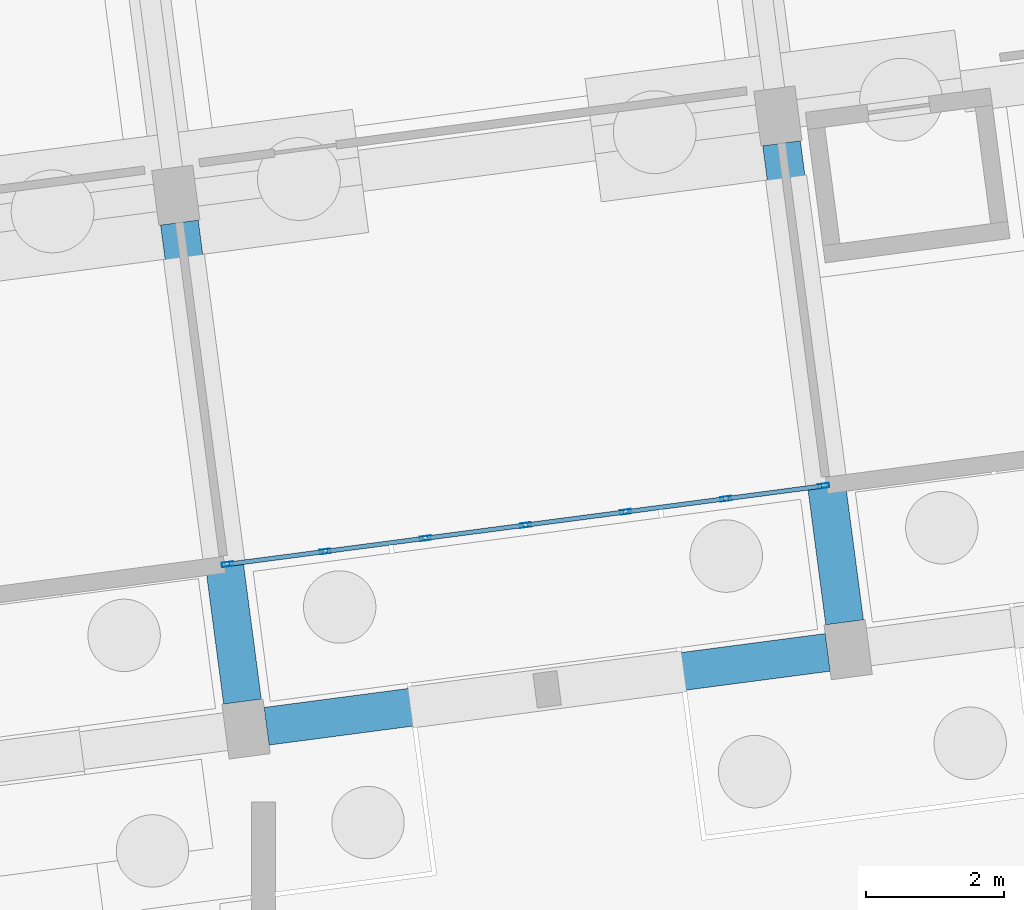
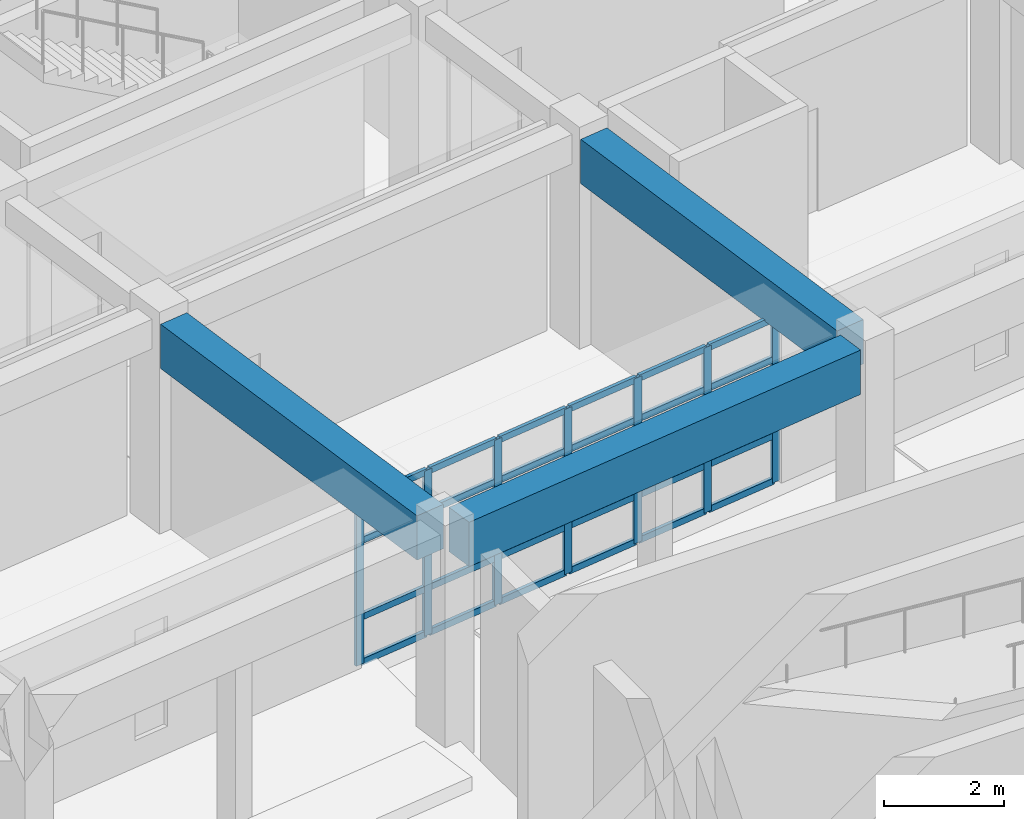
# One storey, part 60 of 154: 31 members, 3 beams, 1 element without a shape of its own.
"""IFC4 building model written with IfcOpenShell, lengths in metres."""

import ifcopenshell
import ifcopenshell.guid

model = None  # the IFC model being written
_history = None  # IfcOwnerHistory: only IFC2X3 demands one
_inside = {}  # id of a spatial element -> (the spatial element, [elements in it])
_under = {}  # id of a project, library or spatial element -> (it, [spatial elements below it])
_declared = {}  # id of a project -> (the project, [libraries it declares])
_typed = {}  # id of a type object -> (the type object, [elements of that type])
_made_of = {}  # id of a material, layer set ... -> (it, [elements and type objects made of it])


def new_model(schema):
    """Start an empty IFC model of exactly this schema.

    Asked for "IFC4X3", IfcOpenShell would pick the latest addendum, in which some entities
    have other attributes; the version numbers below select the first issue.
    IFC2X3 requires an IfcOwnerHistory on every rooted entity: one is made here for all.
    """
    global model, _history
    if schema == "IFC4X3":
        model = ifcopenshell.file(schema_version=(4, 3, 0, 0))
    else:
        model = ifcopenshell.file(schema=schema)
    _inside.clear()
    _under.clear()
    _declared.clear()
    _typed.clear()
    _made_of.clear()
    _history = None
    if model.schema == "IFC2X3":
        org = make("IfcOrganization", Name="unknown")
        user = make(
            "IfcPersonAndOrganization",
            ThePerson=make("IfcPerson", FamilyName="unknown"),
            TheOrganization=org,
        )
        app = make(
            "IfcApplication",
            ApplicationDeveloper=org,
            Version="unknown",
            ApplicationFullName="unknown",
            ApplicationIdentifier="unknown",
        )
        _history = make(
            "IfcOwnerHistory",
            OwningUser=user,
            OwningApplication=app,
            ChangeAction="ADDED",
            CreationDate=0,
        )
    return model


def make(cls, **values):
    """One entity of the class cls with the attributes given. An attribute that is None is left unset."""
    return model.create_entity(
        cls, **{name: value for name, value in values.items() if value is not None}
    )


def rooted(cls, **values):
    """An entity with a GlobalId (a new one), such as an element, a storey or a relation."""
    return make(cls, GlobalId=ifcopenshell.guid.new(), OwnerHistory=_history, **values)


def si_unit(unit_type, name, prefix=None):
    """IfcSIUnit, for example si_unit("LENGTHUNIT", "METRE", prefix="MILLI")."""
    return make("IfcSIUnit", UnitType=unit_type, Prefix=prefix, Name=name)


def assignment(units):
    """IfcUnitAssignment: the units of a project."""
    return None if units is None else make("IfcUnitAssignment", Units=units)


def point(xyz):
    """IfcCartesianPoint."""
    return None if xyz is None else make("IfcCartesianPoint", Coordinates=xyz)


def direction(xyz):
    """IfcDirection."""
    return None if xyz is None else make("IfcDirection", DirectionRatios=xyz)


def frame(location, z_axis=None, x_axis=None):
    """IfcAxis2Placement3D, a coordinate frame: its origin and axes. An axis left out is left unset."""
    return make(
        "IfcAxis2Placement3D",
        Location=point(location),
        Axis=direction(z_axis),
        RefDirection=direction(x_axis),
    )


def frame_2d(location, x_axis=None):
    """IfcAxis2Placement2D, a coordinate frame in the plane: its origin and x axis."""
    return make(
        "IfcAxis2Placement2D", Location=point(location), RefDirection=direction(x_axis)
    )


def origin():
    """The frame at (0, 0, 0) with its axes left unset."""
    return frame((0.0, 0.0, 0.0))


def origin_2d():
    """The frame at (0, 0) in the plane with its x axis left unset."""
    return frame_2d((0.0, 0.0))


def place(relative_to, where):
    """IfcLocalPlacement: puts the frame where relative to a parent placement (None: the world)."""
    return make(
        "IfcLocalPlacement", PlacementRelTo=relative_to, RelativePlacement=where
    )


def context(
    kind, dimensions, precision=None, world=None, true_north=None, identifier=None
):
    """IfcGeometricRepresentationContext, for example the 3D "Model" context."""
    return make(
        "IfcGeometricRepresentationContext",
        ContextIdentifier=identifier,
        ContextType=kind,
        CoordinateSpaceDimension=dimensions,
        Precision=precision,
        WorldCoordinateSystem=world,
        TrueNorth=true_north,
    )


def subcontext(parent, identifier, kind, view, scale=None):
    """IfcGeometricRepresentationSubContext, for example "Body" below "Model"."""
    return make(
        "IfcGeometricRepresentationSubContext",
        ContextIdentifier=identifier,
        ContextType=kind,
        ParentContext=parent,
        TargetScale=scale,
        TargetView=view,
    )


def project(units=None, contexts=None):
    """IfcProject with its units and contexts."""
    return rooted(
        "IfcProject",
        Name="project",
        RepresentationContexts=contexts,
        UnitsInContext=assignment(units),
    )


def spatial(cls, under=None, at=None, **own):
    """A site, building, storey or space (cls), placed at a placement, below another one or the project."""
    s = rooted(cls, ObjectPlacement=at, **own)
    if under is not None:
        _under.setdefault(under.id(), (under, []))[1].append(s)
    return s


def profile(cls, at=None, kind="AREA", **sizes):
    """A parametric profile (cls). Its sizes go by their IFC names, for example OverallWidth=200.0."""
    return make(cls, ProfileType=kind, Position=at, **sizes)


def rectangle(**sizes):
    """IfcRectangleProfileDef."""
    return profile("IfcRectangleProfileDef", **sizes)


def hollow_rectangle(**sizes):
    """IfcRectangleHollowProfileDef."""
    return profile("IfcRectangleHollowProfileDef", **sizes)


def extrude(swept, where, along, depth):
    """IfcExtrudedAreaSolid: the profile swept, set in the frame where, extruded along a direction by depth."""
    return make(
        "IfcExtrudedAreaSolid",
        SweptArea=swept,
        Position=where,
        ExtrudedDirection=direction(along),
        Depth=depth,
    )


def shape(context_of_items, identifier, shape_type, items):
    """IfcShapeRepresentation: the items that make up one representation, for example the "Body"."""
    return make(
        "IfcShapeRepresentation",
        ContextOfItems=context_of_items,
        RepresentationIdentifier=identifier,
        RepresentationType=shape_type,
        Items=items,
    )


def material(Name=None, Category=None):
    """IfcMaterial."""
    return make("IfcMaterial", Name=Name, Category=Category)


def material_profile(
    of_material, cross_section, Name=None, Category=None, Priority=None
):
    """IfcMaterialProfile: a cross section and its material."""
    return make(
        "IfcMaterialProfile",
        Name=Name,
        Material=of_material,
        Profile=cross_section,
        Priority=Priority,
        Category=Category,
    )


def profile_set(profiles, Name=None, composite=None):
    """IfcMaterialProfileSet."""
    return make(
        "IfcMaterialProfileSet",
        Name=Name,
        MaterialProfiles=profiles,
        CompositeProfile=composite,
    )


def made_of(thing, what):
    """Note that an element or type object is made of a material, layer set ...; save() writes the relation."""
    if what is not None:
        _made_of.setdefault(what.id(), (what, []))[1].append(thing)
    return thing


def type_object(cls, material=None, **own):
    """A type object (cls), such as IfcWallType, which elements share."""
    return made_of(rooted(cls, **own), material)


def element(
    cls,
    number,
    at=None,
    inside=None,
    cuts=None,
    type_object=None,
    material=None,
    context=None,
    identifier="Body",
    shape_type=None,
    held_by="IfcProductDefinitionShape",
    body=None,
    shapes=None,
    **own,
):
    """One element of the class cls, such as IfcWall. Its Tag is "e" and its number.

    at: its placement. inside: the storey or other place that contains it. cuts: it is an
    opening in that element (IfcRelVoidsElement). A single representation is given by context,
    identifier, shape_type and body (its items); several are given by shapes. held_by: the class
    of the entity that holds the representations. save() writes the other relations.
    """
    e = rooted(cls, Tag="e%d" % number, ObjectPlacement=at, **own)
    if body is not None:
        shapes = [shape(context, identifier, shape_type, body)]
    if shapes is not None:
        e.Representation = make(held_by, Representations=shapes)
    if inside is not None:
        _inside.setdefault(inside.id(), (inside, []))[1].append(e)
    if cuts is not None:
        rooted(
            "IfcRelVoidsElement", RelatingBuildingElement=cuts, RelatedOpeningElement=e
        )
    if type_object is not None:
        _typed.setdefault(type_object.id(), (type_object, []))[1].append(e)
    return made_of(e, material)


def aggregate(whole, parts):
    """IfcRelAggregates: a whole, such as a stair, and the parts it consists of."""
    return rooted("IfcRelAggregates", RelatingObject=whole, RelatedObjects=parts)


def save(model, path):
    """Write the relations noted so far, then the file.

    IfcRelAggregates (storeys below a building ...), IfcRelContainedInSpatialStructure (elements
    in a storey), IfcRelDefinesByType, IfcRelAssociatesMaterial and IfcRelDeclares: one each for
    every whole, place, type object, material and project.
    """
    for whole, parts in _under.values():
        aggregate(whole, parts)
    for where, things in _inside.values():
        rooted(
            "IfcRelContainedInSpatialStructure",
            RelatedElements=things,
            RelatingStructure=where,
        )
    for kind, things in _typed.values():
        rooted("IfcRelDefinesByType", RelatedObjects=things, RelatingType=kind)
    for what, things in _made_of.values():
        rooted("IfcRelAssociatesMaterial", RelatedObjects=things, RelatingMaterial=what)
    for by, libraries in _declared.values():
        rooted("IfcRelDeclares", RelatingContext=by, RelatedDefinitions=libraries)
    model.write(path)


model = new_model("IFC4")

# Units and contexts
model_context = context("Model", 3, precision=1e-05, world=origin(), true_north=direction((0.0, 1.0)))
body_context = subcontext(model_context, "Body", "Model", "MODEL_VIEW")
ifc_project = project(units=[si_unit("LENGTHUNIT", "METRE"), si_unit("AREAUNIT", "SQUARE_METRE"), si_unit("VOLUMEUNIT", "CUBIC_METRE"), si_unit("PLANEANGLEUNIT", "RADIAN"), si_unit("MASSUNIT", "GRAM", prefix="KILO")], contexts=[model_context])

# Site, building, storey
site_placement = place(None, origin())
site = spatial("IfcSite", under=ifc_project, at=site_placement, CompositionType="ELEMENT")
building_placement = place(site_placement, origin())
building = spatial("IfcBuilding", under=site, at=building_placement, Name="Kestramere Prow Commons", CompositionType="ELEMENT")
storey_placement = place(building_placement, origin())
storey = spatial("IfcBuildingStorey", under=building, at=storey_placement, Name="L00", CompositionType="ELEMENT", Elevation=0.0)

# Curtain wall, members
ifc_material_1 = material(Name="Anodised Aluminium and Low-E Glass", Category="aluminium")
curtain_wall_type = type_object("IfcCurtainWallType", Name="CW-01 Glazed Curtain Wall 8780x3350", PredefinedType="USERDEFINED", material=ifc_material_1)
curtain_wall_placement = place(storey_placement, origin())
curtain_wall = element("IfcCurtainWall", 1, at=curtain_wall_placement, inside=storey, type_object=curtain_wall_type, Name="Block A L00 South Colonnade Storefront 2", ObjectType="GLAZED CURTAIN WALL", PredefinedType="USERDEFINED")
ifc_material_2 = material(Name="Anodised Aluminium 6063-T6", Category="aluminium")
ifc_material_profile_1 = material_profile(ifc_material_2, hollow_rectangle(XDim=0.06494140625, YDim=0.159912109375, WallThickness=0.00390625, at=origin_2d()), Name="ALU-MUL 65x160")
ifc_profile_set_1 = profile_set([ifc_material_profile_1], Name="Anodised Aluminium 6063-T6")
member_type_1 = type_object("IfcMemberType", Name="CW-MUL-65x160", PredefinedType="MULLION", material=ifc_profile_set_1)
member_1_placement = place(storey_placement, frame((28.2939453125, 76.671142578125, 0.0), z_axis=(0.0, 0.0, 1.0), x_axis=(0.130526194106, -0.991444861125, 0.0)))
member_1 = element("IfcMember", 2, at=member_1_placement, type_object=member_type_1, Name="CW-01 mullion 1", PredefinedType="MULLION", context=body_context, shape_type="SweptSolid", body=[
    extrude(hollow_rectangle(XDim=0.06494140625, YDim=0.159912109375, WallThickness=0.00390625, at=origin_2d()), origin(), (0.0, 0.0, 1.0), 3.35009765625),
])
member_2_placement = place(storey_placement, frame((26.87548828125, 76.484375, 0.0), z_axis=(0.0, 0.0, 1.0), x_axis=(0.130526194106, -0.991444861125, 0.0)))
member_2 = element("IfcMember", 3, at=member_2_placement, type_object=member_type_1, Name="CW-01 mullion 2", PredefinedType="MULLION", context=body_context, shape_type="SweptSolid", body=[
    extrude(hollow_rectangle(XDim=0.06494140625, YDim=0.159912109375, WallThickness=0.00390625, at=origin_2d()), origin(), (0.0, 0.0, 1.0), 3.35009765625),
])
member_3_placement = place(storey_placement, frame((25.424560546875, 76.29345703125, 0.0), z_axis=(0.0, 0.0, 1.0), x_axis=(0.130526194106, -0.991444861125, 0.0)))
member_3 = element("IfcMember", 4, at=member_3_placement, type_object=member_type_1, Name="CW-01 mullion 3", PredefinedType="MULLION", context=body_context, shape_type="SweptSolid", body=[
    extrude(hollow_rectangle(XDim=0.06494140625, YDim=0.159912109375, WallThickness=0.00390625, at=origin_2d()), origin(), (0.0, 0.0, 1.0), 3.35009765625),
])
member_4_placement = place(storey_placement, frame((23.973876953125, 76.102294921875, 0.0), z_axis=(0.0, 0.0, 1.0), x_axis=(0.130526194106, -0.991444861125, 0.0)))
member_4 = element("IfcMember", 5, at=member_4_placement, type_object=member_type_1, Name="CW-01 mullion 4", PredefinedType="MULLION", context=body_context, shape_type="SweptSolid", body=[
    extrude(hollow_rectangle(XDim=0.06494140625, YDim=0.159912109375, WallThickness=0.00390625, at=origin_2d()), origin(), (0.0, 0.0, 1.0), 3.35009765625),
])
member_5_placement = place(storey_placement, frame((22.52294921875, 75.911376953125, 0.0), z_axis=(0.0, 0.0, 1.0), x_axis=(0.130526194106, -0.991444861125, 0.0)))
member_5 = element("IfcMember", 6, at=member_5_placement, type_object=member_type_1, Name="CW-01 mullion 5", PredefinedType="MULLION", context=body_context, shape_type="SweptSolid", body=[
    extrude(hollow_rectangle(XDim=0.06494140625, YDim=0.159912109375, WallThickness=0.00390625, at=origin_2d()), origin(), (0.0, 0.0, 1.0), 3.35009765625),
])
member_6_placement = place(storey_placement, frame((21.072265625, 75.720458984375, 0.0), z_axis=(0.0, 0.0, 1.0), x_axis=(0.130526194106, -0.991444861125, 0.0)))
member_6 = element("IfcMember", 7, at=member_6_placement, type_object=member_type_1, Name="CW-01 mullion 6", PredefinedType="MULLION", context=body_context, shape_type="SweptSolid", body=[
    extrude(hollow_rectangle(XDim=0.06494140625, YDim=0.159912109375, WallThickness=0.00390625, at=origin_2d()), origin(), (0.0, 0.0, 1.0), 3.35009765625),
])
member_7_placement = place(storey_placement, frame((19.653564453125, 75.53369140625, 0.0), z_axis=(0.0, 0.0, 1.0), x_axis=(0.130526194106, -0.991444861125, 0.0)))
member_7 = element("IfcMember", 8, at=member_7_placement, type_object=member_type_1, Name="CW-01 mullion 7", PredefinedType="MULLION", context=body_context, shape_type="SweptSolid", body=[
    extrude(hollow_rectangle(XDim=0.06494140625, YDim=0.159912109375, WallThickness=0.00390625, at=origin_2d()), origin(), (0.0, 0.0, 1.0), 3.35009765625),
])
ifc_material_profile_2 = material_profile(ifc_material_2, hollow_rectangle(XDim=0.06494140625, YDim=0.1298828125, WallThickness=0.00390625, at=origin_2d()), Name="ALU-TRN 65x130")
ifc_profile_set_2 = profile_set([ifc_material_profile_2], Name="Anodised Aluminium 6063-T6")
member_type_2 = type_object("IfcMemberType", Name="CW-TRN-65x130", PredefinedType="USERDEFINED", material=ifc_profile_set_2)
member_8_placement = place(storey_placement, frame((28.26171875, 76.6669921875, 0.032470703125), z_axis=(-0.991448209775, -0.130500756065, 0.0), x_axis=(0.130500756065, -0.991448209775, 0.0)))
member_8 = element("IfcMember", 9, at=member_8_placement, type_object=member_type_2, Name="CW-01 transom 1.1", ObjectType="TRANSOM", PredefinedType="USERDEFINED", context=body_context, shape_type="SweptSolid", body=[
    extrude(hollow_rectangle(XDim=0.06494140625, YDim=0.1298828125, WallThickness=0.00390625, at=origin_2d()), origin(), (0.0, 0.0, 1.0), 1.36572265625),
])
member_9_placement = place(storey_placement, frame((28.26171875, 76.6669921875, 0.949951171875), z_axis=(-0.991448209775, -0.130500756065, 0.0), x_axis=(0.130500756065, -0.991448209775, 0.0)))
member_9 = element("IfcMember", 10, at=member_9_placement, type_object=member_type_2, Name="CW-01 transom 1.2", ObjectType="TRANSOM", PredefinedType="USERDEFINED", context=body_context, shape_type="SweptSolid", body=[
    extrude(hollow_rectangle(XDim=0.06494140625, YDim=0.1298828125, WallThickness=0.00390625, at=origin_2d()), origin(), (0.0, 0.0, 1.0), 1.36572265625),
])
member_10_placement = place(storey_placement, frame((28.26171875, 76.6669921875, 2.5), z_axis=(-0.991448209775, -0.130500756065, 0.0), x_axis=(0.130500756065, -0.991448209775, 0.0)))
member_10 = element("IfcMember", 11, at=member_10_placement, type_object=member_type_2, Name="CW-01 transom 1.3", ObjectType="TRANSOM", PredefinedType="USERDEFINED", context=body_context, shape_type="SweptSolid", body=[
    extrude(hollow_rectangle(XDim=0.06494140625, YDim=0.1298828125, WallThickness=0.00390625, at=origin_2d()), origin(), (0.0, 0.0, 1.0), 1.36572265625),
])
member_11_placement = place(storey_placement, frame((28.26171875, 76.6669921875, 3.3173828125), z_axis=(-0.991448209775, -0.130500756065, 0.0), x_axis=(0.130500756065, -0.991448209775, 0.0)))
member_11 = element("IfcMember", 12, at=member_11_placement, type_object=member_type_2, Name="CW-01 transom 1.4", ObjectType="TRANSOM", PredefinedType="USERDEFINED", context=body_context, shape_type="SweptSolid", body=[
    extrude(hollow_rectangle(XDim=0.06494140625, YDim=0.1298828125, WallThickness=0.00390625, at=origin_2d()), origin(), (0.0, 0.0, 1.0), 1.36572265625),
])
member_12_placement = place(storey_placement, frame((26.84326171875, 76.480224609375, 0.032470703125), z_axis=(-0.991437054742, -0.130585475779, 0.0), x_axis=(0.130585475779, -0.991437054742, 0.0)))
member_12 = element("IfcMember", 13, at=member_12_placement, type_object=member_type_2, Name="CW-01 transom 2.1", ObjectType="TRANSOM", PredefinedType="USERDEFINED", context=body_context, shape_type="SweptSolid", body=[
    extrude(hollow_rectangle(XDim=0.06494140625, YDim=0.1298828125, WallThickness=0.00390625, at=origin_2d()), origin(), (0.0, 0.0, 1.0), 1.3984375),
])
member_13_placement = place(storey_placement, frame((26.84326171875, 76.480224609375, 0.949951171875), z_axis=(-0.991437054742, -0.130585475779, 0.0), x_axis=(0.130585475779, -0.991437054742, 0.0)))
member_13 = element("IfcMember", 14, at=member_13_placement, type_object=member_type_2, Name="CW-01 transom 2.2", ObjectType="TRANSOM", PredefinedType="USERDEFINED", context=body_context, shape_type="SweptSolid", body=[
    extrude(hollow_rectangle(XDim=0.06494140625, YDim=0.1298828125, WallThickness=0.00390625, at=origin_2d()), origin(), (0.0, 0.0, 1.0), 1.3984375),
])
member_14_placement = place(storey_placement, frame((26.84326171875, 76.480224609375, 2.5), z_axis=(-0.991437054742, -0.130585475779, 0.0), x_axis=(0.130585475779, -0.991437054742, 0.0)))
member_14 = element("IfcMember", 15, at=member_14_placement, type_object=member_type_2, Name="CW-01 transom 2.3", ObjectType="TRANSOM", PredefinedType="USERDEFINED", context=body_context, shape_type="SweptSolid", body=[
    extrude(hollow_rectangle(XDim=0.06494140625, YDim=0.1298828125, WallThickness=0.00390625, at=origin_2d()), origin(), (0.0, 0.0, 1.0), 1.3984375),
])
member_15_placement = place(storey_placement, frame((26.84326171875, 76.480224609375, 3.3173828125), z_axis=(-0.991437054742, -0.130585475779, 0.0), x_axis=(0.130585475779, -0.991437054742, 0.0)))
member_15 = element("IfcMember", 16, at=member_15_placement, type_object=member_type_2, Name="CW-01 transom 2.4", ObjectType="TRANSOM", PredefinedType="USERDEFINED", context=body_context, shape_type="SweptSolid", body=[
    extrude(hollow_rectangle(XDim=0.06494140625, YDim=0.1298828125, WallThickness=0.00390625, at=origin_2d()), origin(), (0.0, 0.0, 1.0), 1.3984375),
])
member_16_placement = place(storey_placement, frame((25.392333984375, 76.2890625, 0.032470703125), z_axis=(-0.991456672692, -0.130436444963, 0.0), x_axis=(0.130436444963, -0.991456672692, 0.0)))
member_16 = element("IfcMember", 17, at=member_16_placement, type_object=member_type_2, Name="CW-01 transom 3.1", ObjectType="TRANSOM", PredefinedType="USERDEFINED", context=body_context, shape_type="SweptSolid", body=[
    extrude(hollow_rectangle(XDim=0.06494140625, YDim=0.1298828125, WallThickness=0.00390625, at=origin_2d()), origin(), (0.0, 0.0, 1.0), 1.398193359375),
])
member_17_placement = place(storey_placement, frame((25.392333984375, 76.2890625, 0.949951171875), z_axis=(-0.991456672692, -0.130436444963, 0.0), x_axis=(0.130436444963, -0.991456672692, 0.0)))
member_17 = element("IfcMember", 18, at=member_17_placement, type_object=member_type_2, Name="CW-01 transom 3.2", ObjectType="TRANSOM", PredefinedType="USERDEFINED", context=body_context, shape_type="SweptSolid", body=[
    extrude(hollow_rectangle(XDim=0.06494140625, YDim=0.1298828125, WallThickness=0.00390625, at=origin_2d()), origin(), (0.0, 0.0, 1.0), 1.398193359375),
])
member_18_placement = place(storey_placement, frame((25.392333984375, 76.2890625, 2.5), z_axis=(-0.991456672692, -0.130436444963, 0.0), x_axis=(0.130436444963, -0.991456672692, 0.0)))
member_18 = element("IfcMember", 19, at=member_18_placement, type_object=member_type_2, Name="CW-01 transom 3.3", ObjectType="TRANSOM", PredefinedType="USERDEFINED", context=body_context, shape_type="SweptSolid", body=[
    extrude(hollow_rectangle(XDim=0.06494140625, YDim=0.1298828125, WallThickness=0.00390625, at=origin_2d()), origin(), (0.0, 0.0, 1.0), 1.398193359375),
])
member_19_placement = place(storey_placement, frame((25.392333984375, 76.2890625, 3.3173828125), z_axis=(-0.991456672692, -0.130436444963, 0.0), x_axis=(0.130436444963, -0.991456672692, 0.0)))
member_19 = element("IfcMember", 20, at=member_19_placement, type_object=member_type_2, Name="CW-01 transom 3.4", ObjectType="TRANSOM", PredefinedType="USERDEFINED", context=body_context, shape_type="SweptSolid", body=[
    extrude(hollow_rectangle(XDim=0.06494140625, YDim=0.1298828125, WallThickness=0.00390625, at=origin_2d()), origin(), (0.0, 0.0, 1.0), 1.398193359375),
])
member_20_placement = place(storey_placement, frame((23.941650390625, 76.09814453125, 0.032470703125), z_axis=(-0.99145964274, -0.130413867429, 0.0), x_axis=(0.130413867429, -0.99145964274, 0.0)))
member_20 = element("IfcMember", 21, at=member_20_placement, type_object=member_type_2, Name="CW-01 transom 4.1", ObjectType="TRANSOM", PredefinedType="USERDEFINED", context=body_context, shape_type="SweptSolid", body=[
    extrude(hollow_rectangle(XDim=0.06494140625, YDim=0.1298828125, WallThickness=0.00390625, at=origin_2d()), origin(), (0.0, 0.0, 1.0), 1.3984375),
])
member_21_placement = place(storey_placement, frame((23.941650390625, 76.09814453125, 0.949951171875), z_axis=(-0.99145964274, -0.130413867429, 0.0), x_axis=(0.130413867429, -0.99145964274, 0.0)))
member_21 = element("IfcMember", 22, at=member_21_placement, type_object=member_type_2, Name="CW-01 transom 4.2", ObjectType="TRANSOM", PredefinedType="USERDEFINED", context=body_context, shape_type="SweptSolid", body=[
    extrude(hollow_rectangle(XDim=0.06494140625, YDim=0.1298828125, WallThickness=0.00390625, at=origin_2d()), origin(), (0.0, 0.0, 1.0), 1.3984375),
])
member_22_placement = place(storey_placement, frame((23.941650390625, 76.09814453125, 2.5), z_axis=(-0.99145964274, -0.130413867429, 0.0), x_axis=(0.130413867429, -0.99145964274, 0.0)))
member_22 = element("IfcMember", 23, at=member_22_placement, type_object=member_type_2, Name="CW-01 transom 4.3", ObjectType="TRANSOM", PredefinedType="USERDEFINED", context=body_context, shape_type="SweptSolid", body=[
    extrude(hollow_rectangle(XDim=0.06494140625, YDim=0.1298828125, WallThickness=0.00390625, at=origin_2d()), origin(), (0.0, 0.0, 1.0), 1.3984375),
])
member_23_placement = place(storey_placement, frame((23.941650390625, 76.09814453125, 3.3173828125), z_axis=(-0.99145964274, -0.130413867429, 0.0), x_axis=(0.130413867429, -0.99145964274, 0.0)))
member_23 = element("IfcMember", 24, at=member_23_placement, type_object=member_type_2, Name="CW-01 transom 4.4", ObjectType="TRANSOM", PredefinedType="USERDEFINED", context=body_context, shape_type="SweptSolid", body=[
    extrude(hollow_rectangle(XDim=0.06494140625, YDim=0.1298828125, WallThickness=0.00390625, at=origin_2d()), origin(), (0.0, 0.0, 1.0), 1.3984375),
])
member_24_placement = place(storey_placement, frame((22.49072265625, 75.9072265625, 0.032470703125), z_axis=(-0.99143407694, -0.130608081992, 0.0), x_axis=(0.130608081992, -0.99143407694, 0.0)))
member_24 = element("IfcMember", 25, at=member_24_placement, type_object=member_type_2, Name="CW-01 transom 5.1", ObjectType="TRANSOM", PredefinedType="USERDEFINED", context=body_context, shape_type="SweptSolid", body=[
    extrude(hollow_rectangle(XDim=0.06494140625, YDim=0.1298828125, WallThickness=0.00390625, at=origin_2d()), origin(), (0.0, 0.0, 1.0), 1.398193359375),
])
member_25_placement = place(storey_placement, frame((22.49072265625, 75.9072265625, 0.949951171875), z_axis=(-0.99143407694, -0.130608081992, 0.0), x_axis=(0.130608081992, -0.99143407694, 0.0)))
member_25 = element("IfcMember", 26, at=member_25_placement, type_object=member_type_2, Name="CW-01 transom 5.2", ObjectType="TRANSOM", PredefinedType="USERDEFINED", context=body_context, shape_type="SweptSolid", body=[
    extrude(hollow_rectangle(XDim=0.06494140625, YDim=0.1298828125, WallThickness=0.00390625, at=origin_2d()), origin(), (0.0, 0.0, 1.0), 1.398193359375),
])
member_26_placement = place(storey_placement, frame((22.49072265625, 75.9072265625, 2.5), z_axis=(-0.99143407694, -0.130608081992, 0.0), x_axis=(0.130608081992, -0.99143407694, 0.0)))
member_26 = element("IfcMember", 27, at=member_26_placement, type_object=member_type_2, Name="CW-01 transom 5.3", ObjectType="TRANSOM", PredefinedType="USERDEFINED", context=body_context, shape_type="SweptSolid", body=[
    extrude(hollow_rectangle(XDim=0.06494140625, YDim=0.1298828125, WallThickness=0.00390625, at=origin_2d()), origin(), (0.0, 0.0, 1.0), 1.398193359375),
])
member_27_placement = place(storey_placement, frame((22.49072265625, 75.9072265625, 3.3173828125), z_axis=(-0.99143407694, -0.130608081992, 0.0), x_axis=(0.130608081992, -0.99143407694, 0.0)))
member_27 = element("IfcMember", 28, at=member_27_placement, type_object=member_type_2, Name="CW-01 transom 5.4", ObjectType="TRANSOM", PredefinedType="USERDEFINED", context=body_context, shape_type="SweptSolid", body=[
    extrude(hollow_rectangle(XDim=0.06494140625, YDim=0.1298828125, WallThickness=0.00390625, at=origin_2d()), origin(), (0.0, 0.0, 1.0), 1.398193359375),
])
member_28_placement = place(storey_placement, frame((21.0400390625, 75.716064453125, 0.032470703125), z_axis=(-0.991451253468, -0.130477630256, 0.0), x_axis=(0.130477630256, -0.991451253468, 0.0)))
member_28 = element("IfcMember", 29, at=member_28_placement, type_object=member_type_2, Name="CW-01 transom 6.1", ObjectType="TRANSOM", PredefinedType="USERDEFINED", context=body_context, shape_type="SweptSolid", body=[
    extrude(hollow_rectangle(XDim=0.06494140625, YDim=0.1298828125, WallThickness=0.00390625, at=origin_2d()), origin(), (0.0, 0.0, 1.0), 1.365966796875),
])
member_29_placement = place(storey_placement, frame((21.0400390625, 75.716064453125, 0.949951171875), z_axis=(-0.991451253468, -0.130477630256, 0.0), x_axis=(0.130477630256, -0.991451253468, 0.0)))
member_29 = element("IfcMember", 30, at=member_29_placement, type_object=member_type_2, Name="CW-01 transom 6.2", ObjectType="TRANSOM", PredefinedType="USERDEFINED", context=body_context, shape_type="SweptSolid", body=[
    extrude(hollow_rectangle(XDim=0.06494140625, YDim=0.1298828125, WallThickness=0.00390625, at=origin_2d()), origin(), (0.0, 0.0, 1.0), 1.365966796875),
])
member_30_placement = place(storey_placement, frame((21.0400390625, 75.716064453125, 2.5), z_axis=(-0.991451253468, -0.130477630256, 0.0), x_axis=(0.130477630256, -0.991451253468, 0.0)))
member_30 = element("IfcMember", 31, at=member_30_placement, type_object=member_type_2, Name="CW-01 transom 6.3", ObjectType="TRANSOM", PredefinedType="USERDEFINED", context=body_context, shape_type="SweptSolid", body=[
    extrude(hollow_rectangle(XDim=0.06494140625, YDim=0.1298828125, WallThickness=0.00390625, at=origin_2d()), origin(), (0.0, 0.0, 1.0), 1.365966796875),
])
member_31_placement = place(storey_placement, frame((21.0400390625, 75.716064453125, 3.3173828125), z_axis=(-0.991451253468, -0.130477630256, 0.0), x_axis=(0.130477630256, -0.991451253468, 0.0)))
member_31 = element("IfcMember", 32, at=member_31_placement, type_object=member_type_2, Name="CW-01 transom 6.4", ObjectType="TRANSOM", PredefinedType="USERDEFINED", context=body_context, shape_type="SweptSolid", body=[
    extrude(hollow_rectangle(XDim=0.06494140625, YDim=0.1298828125, WallThickness=0.00390625, at=origin_2d()), origin(), (0.0, 0.0, 1.0), 1.365966796875),
])
aggregate(curtain_wall, [member_1, member_2, member_3, member_4, member_5, member_6, member_7, member_8, member_9, member_10, member_11, member_12, member_13, member_14, member_15, member_16, member_17, member_18, member_19, member_20, member_21, member_22, member_23, member_24, member_25, member_26, member_27, member_28, member_29, member_30, member_31])

# Beams
ifc_material_3 = material(Name="Precast concrete C40/50", Category="concrete")
ifc_material_profile_3 = material_profile(ifc_material_3, rectangle(XDim=0.550048828125, YDim=0.89990234375, at=origin_2d()), Name="PC-TG 550x900")
ifc_profile_set_3 = profile_set([ifc_material_profile_3], Name="Precast concrete C40/50")
beam_type = type_object("IfcBeamType", Name="TG-01 PC-TG 550x900 (EX)", PredefinedType="BEAM", material=ifc_profile_set_3)
beam_placement = place(storey_placement, frame((20.22216796875, 73.187744140625, 3.800048828125), z_axis=(0.991444969909, 0.13052536781, 0.0), x_axis=(-0.13052536781, 0.991444969909, 0.0)))
element("IfcBeam", 33, at=beam_placement, inside=storey, type_object=beam_type, Name="Block A L00 Longitudinal Beam 1-2", PredefinedType="BEAM", context=body_context, shape_type="SweptSolid", body=[
    extrude(rectangle(XDim=0.550048828125, YDim=0.89990234375, at=origin_2d()), origin(), (0.0, 0.0, 1.0), 8.199951171875),
])
for number, where, z_axis, x_axis, name in (
    (34, (19.87255859375, 73.545166015625, 3.800048828125), (-0.130543828916, 0.991442539299, 0.0), (-0.991442539299, -0.130543828916, 0.0), "Block A L00 S Colonnade Transfer Girder 2"),
    (35, (28.59716796875, 74.69384765625, 3.800048828125), (-0.13050954625, 0.991447052715, 0.0), (-0.991447052715, -0.13050954625, 0.0), "Block A L00 S Colonnade Transfer Girder 3"),
):
    element("IfcBeam", number, at=place(storey_placement, frame(where, z_axis=z_axis, x_axis=x_axis)), inside=storey, type_object=beam_type, Name=name, PredefinedType="BEAM", context=body_context, shape_type="SweptSolid", body=[
        extrude(rectangle(XDim=0.550048828125, YDim=0.89990234375, at=origin_2d()), origin(), (0.0, 0.0, 1.0), 7.0),
    ])

save(model, "model.ifc")
